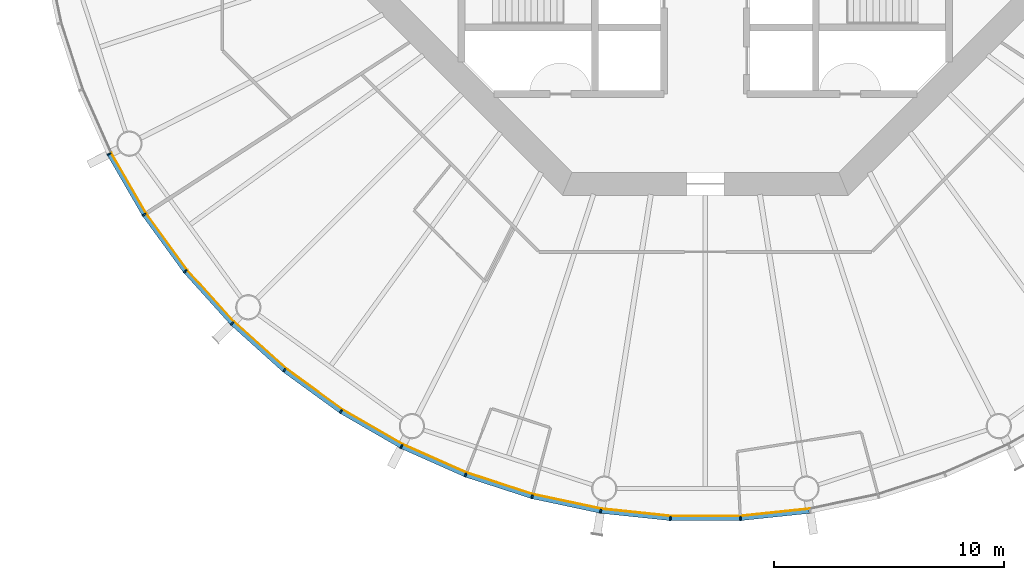
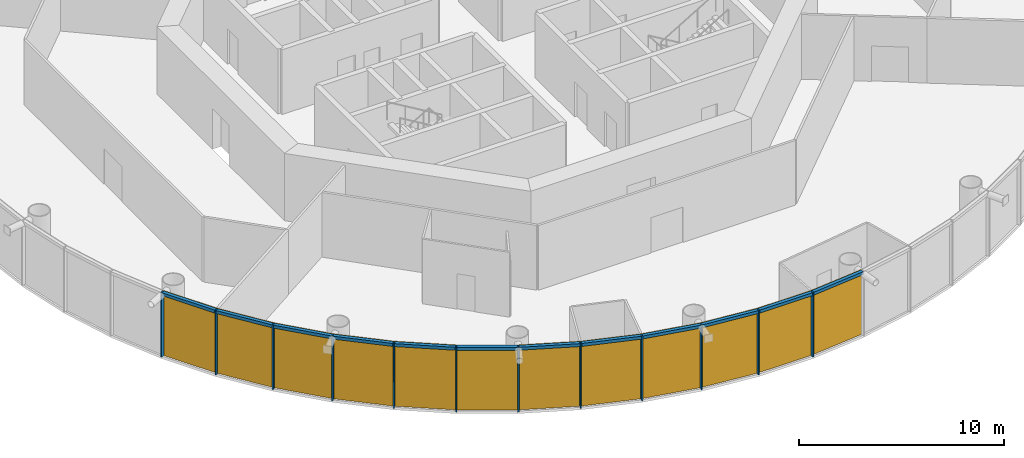
# One storey, part 11 of 17: 24 members, 4 curtain walls.
"""IFC4 building model written with IfcOpenShell, lengths in metres."""

from ifc_helpers import new_model, si_unit, direction, frame, origin, origin_2d, place, context, subcontext, project, spatial, polyline, rectangle, outline, extrude, material, layer, layer_set, material_profile, profile_set, type_object, element, aggregate, save


model = new_model("IFC4")

# Units and contexts
model_context = context("Model", 3, precision=1e-05, world=origin(), true_north=direction((0.0, 1.0)))
body_context = subcontext(model_context, "Body", "Model", "MODEL_VIEW")
ifc_project = project(units=[si_unit("LENGTHUNIT", "METRE"), si_unit("AREAUNIT", "SQUARE_METRE"), si_unit("VOLUMEUNIT", "CUBIC_METRE"), si_unit("PLANEANGLEUNIT", "RADIAN"), si_unit("MASSUNIT", "GRAM", prefix="KILO")], contexts=[model_context])

# Member
ifc_material_1 = material(Name="Anodised aluminium", Category="aluminium")
ifc_material_profile_1 = material_profile(ifc_material_1, rectangle(XDim=0.06494140625, YDim=0.18505859375, at=origin_2d()), Name="Mullion 65 x 185 mm anodised aluminium")
ifc_profile_set_1 = profile_set([ifc_material_profile_1], Name="Anodised aluminium")
member_type_1 = type_object("IfcMemberType", Name="Mullion 65 x 185 mm anodised aluminium", PredefinedType="MULLION", material=ifc_profile_set_1)
site_placement = place(None, origin())
building_placement = place(site_placement, origin())
storey_placement = place(building_placement, frame((0.0, 0.0, 160.0)))
member_1_placement = place(storey_placement, frame((64.078369140625, 66.792236328125, 0.0), z_axis=(0.0, 0.0, 1.0), x_axis=(0.45399049974, -0.891006524188, 0.0)))
member_1 = element("IfcMember", 1, at=member_1_placement, type_object=member_type_1, Name="MULLION L36-33", PredefinedType="MULLION", context=body_context, shape_type="SweptSolid", body=[
    extrude(rectangle(XDim=0.06494140625, YDim=0.18505859375, at=origin_2d()), origin(), (0.0, 0.0, 1.0), 3.85009765625),
])

member_2_placement = place(storey_placement, frame((65.60107421875, 64.155029296875, 0.0), z_axis=(0.0, 0.0, 1.0), x_axis=(0.544639035015, -0.838670567945, 0.0)))
member_2 = element("IfcMember", 2, at=member_2_placement, type_object=member_type_1, Name="MULLION L36-34", PredefinedType="MULLION", context=body_context, shape_type="SweptSolid", body=[
    extrude(rectangle(XDim=0.06494140625, YDim=0.18505859375, at=origin_2d()), origin(), (0.0, 0.0, 1.0), 3.85009765625),
])

member_3_placement = place(storey_placement, frame((67.390869140625, 61.69140625, 0.0), z_axis=(0.0, 0.0, 1.0), x_axis=(0.62932039105, -0.777145961457, 0.0)))
member_3 = element("IfcMember", 3, at=member_3_placement, type_object=member_type_1, Name="MULLION L36-35", PredefinedType="MULLION", context=body_context, shape_type="SweptSolid", body=[
    extrude(rectangle(XDim=0.06494140625, YDim=0.18505859375, at=origin_2d()), origin(), (0.0, 0.0, 1.0), 3.85009765625),
])

member_4_placement = place(storey_placement, frame((69.428466796875, 59.428466796875, 0.0), z_axis=(0.0, 0.0, 1.0), x_axis=(0.707106781187, -0.707106781187, 0.0)))
member_4 = element("IfcMember", 4, at=member_4_placement, type_object=member_type_1, Name="MULLION L36-36", PredefinedType="MULLION", context=body_context, shape_type="SweptSolid", body=[
    extrude(rectangle(XDim=0.06494140625, YDim=0.18505859375, at=origin_2d()), origin(), (0.0, 0.0, 1.0), 3.85009765625),
])

member_5_placement = place(storey_placement, frame((71.69140625, 57.390869140625, 0.0), z_axis=(0.0, 0.0, 1.0), x_axis=(0.777145961457, -0.62932039105, 0.0)))
member_5 = element("IfcMember", 5, at=member_5_placement, type_object=member_type_1, Name="MULLION L36-37", PredefinedType="MULLION", context=body_context, shape_type="SweptSolid", body=[
    extrude(rectangle(XDim=0.06494140625, YDim=0.18505859375, at=origin_2d()), origin(), (0.0, 0.0, 1.0), 3.85009765625),
])

member_6_placement = place(storey_placement, frame((74.155029296875, 55.60107421875, 0.0), z_axis=(0.0, 0.0, 1.0), x_axis=(0.838670567945, -0.544639035015, 0.0)))
member_6 = element("IfcMember", 6, at=member_6_placement, type_object=member_type_1, Name="MULLION L36-38", PredefinedType="MULLION", context=body_context, shape_type="SweptSolid", body=[
    extrude(rectangle(XDim=0.06494140625, YDim=0.18505859375, at=origin_2d()), origin(), (0.0, 0.0, 1.0), 3.85009765625),
])

member_7_placement = place(storey_placement, frame((76.792236328125, 54.078369140625, 0.0), z_axis=(0.0, 0.0, 1.0), x_axis=(0.891006524188, -0.45399049974, 0.0)))
member_7 = element("IfcMember", 7, at=member_7_placement, type_object=member_type_1, Name="MULLION L36-39", PredefinedType="MULLION", context=body_context, shape_type="SweptSolid", body=[
    extrude(rectangle(XDim=0.06494140625, YDim=0.18505859375, at=origin_2d()), origin(), (0.0, 0.0, 1.0), 3.85009765625),
])

member_8_placement = place(storey_placement, frame((79.57421875, 52.83984375, 0.0), z_axis=(0.0, 0.0, 1.0), x_axis=(0.933580426497, -0.358367949545, 0.0)))
member_8 = element("IfcMember", 8, at=member_8_placement, type_object=member_type_1, Name="MULLION L36-40", PredefinedType="MULLION", context=body_context, shape_type="SweptSolid", body=[
    extrude(rectangle(XDim=0.06494140625, YDim=0.18505859375, at=origin_2d()), origin(), (0.0, 0.0, 1.0), 3.85009765625),
])

member_9_placement = place(storey_placement, frame((82.47021484375, 51.898681640625, 0.0), z_axis=(0.0, 0.0, 1.0), x_axis=(0.965925826289, -0.258819045103, 0.0)))
member_9 = element("IfcMember", 9, at=member_9_placement, type_object=member_type_1, Name="MULLION L36-41", PredefinedType="MULLION", context=body_context, shape_type="SweptSolid", body=[
    extrude(rectangle(XDim=0.06494140625, YDim=0.18505859375, at=origin_2d()), origin(), (0.0, 0.0, 1.0), 3.85009765625),
])

member_10_placement = place(storey_placement, frame((85.448974609375, 51.265625, 0.0), z_axis=(0.0, 0.0, 1.0), x_axis=(0.987688340595, -0.15643446504, 0.0)))
member_10 = element("IfcMember", 10, at=member_10_placement, type_object=member_type_1, Name="MULLION L36-42", PredefinedType="MULLION", context=body_context, shape_type="SweptSolid", body=[
    extrude(rectangle(XDim=0.06494140625, YDim=0.18505859375, at=origin_2d()), origin(), (0.0, 0.0, 1.0), 3.85009765625),
])

member_11_placement = place(storey_placement, frame((88.477294921875, 50.947265625, 0.0), z_axis=(0.0, 0.0, 1.0), x_axis=(0.998629534755, -0.052335956243, 0.0)))
member_11 = element("IfcMember", 11, at=member_11_placement, type_object=member_type_1, Name="MULLION L36-43", PredefinedType="MULLION", context=body_context, shape_type="SweptSolid", body=[
    extrude(rectangle(XDim=0.06494140625, YDim=0.18505859375, at=origin_2d()), origin(), (0.0, 0.0, 1.0), 3.85009765625),
])

member_12_placement = place(storey_placement, frame((91.522705078125, 50.947265625, 0.0), z_axis=(0.0, 0.0, 1.0), x_axis=(0.998629534755, 0.052335956243, 0.0)))
member_12 = element("IfcMember", 12, at=member_12_placement, type_object=member_type_1, Name="MULLION L36-44", PredefinedType="MULLION", context=body_context, shape_type="SweptSolid", body=[
    extrude(rectangle(XDim=0.06494140625, YDim=0.18505859375, at=origin_2d()), origin(), (0.0, 0.0, 1.0), 3.85009765625),
])

ifc_material_2 = material(Name="Anodised aluminium", Category="aluminium")
ifc_material_profile_2 = material_profile(ifc_material_2, rectangle(XDim=0.18505859375, YDim=0.175048828125, at=origin_2d()), Name="Transom 175 x 185 mm anodised aluminium")
ifc_profile_set_2 = profile_set([ifc_material_profile_2], Name="Anodised aluminium")
member_type_2 = type_object("IfcMemberType", Name="Transom 175 x 185 mm anodised aluminium", PredefinedType="USERDEFINED", material=ifc_profile_set_2)
member_13_placement = place(storey_placement, frame((64.096923828125, 66.759765625, 3.762451171875), z_axis=(0.500028367561, -0.866009025146, 0.0), x_axis=(0.866009025146, 0.500028367561, 0.0)))
member_13 = element("IfcMember", 13, at=member_13_placement, type_object=member_type_2, Name="TRANSOM L36-33", ObjectType="TRANSOM", PredefinedType="USERDEFINED", context=body_context, shape_type="SweptSolid", body=[
    extrude(rectangle(XDim=0.18505859375, YDim=0.175048828125, at=origin_2d()), origin(), (0.0, 0.0, 1.0), 2.970458984375),
])

member_14_placement = place(storey_placement, frame((65.622802734375, 64.124755859375, 3.762451171875), z_axis=(0.587819781808, -0.808991906087, 0.0), x_axis=(0.808991906087, 0.587819781808, 0.0)))
member_14 = element("IfcMember", 14, at=member_14_placement, type_object=member_type_2, Name="TRANSOM L36-34", ObjectType="TRANSOM", PredefinedType="USERDEFINED", context=body_context, shape_type="SweptSolid", body=[
    extrude(rectangle(XDim=0.18505859375, YDim=0.175048828125, at=origin_2d()), origin(), (0.0, 0.0, 1.0), 2.970458984375),
])

member_15_placement = place(storey_placement, frame((67.415771484375, 61.66357421875, 3.762451171875), z_axis=(0.669110027395, -0.743163354343, 0.0), x_axis=(0.743163354343, 0.669110027395, 0.0)))
member_15 = element("IfcMember", 15, at=member_15_placement, type_object=member_type_2, Name="TRANSOM L36-35", ObjectType="TRANSOM", PredefinedType="USERDEFINED", context=body_context, shape_type="SweptSolid", body=[
    extrude(rectangle(XDim=0.18505859375, YDim=0.175048828125, at=origin_2d()), origin(), (0.0, 0.0, 1.0), 2.970458984375),
])

member_16_placement = place(storey_placement, frame((69.4560546875, 59.4033203125, 3.762451171875), z_axis=(0.743163354343, -0.669110027395, 0.0), x_axis=(0.669110027395, 0.743163354343, 0.0)))
member_16 = element("IfcMember", 16, at=member_16_placement, type_object=member_type_2, Name="TRANSOM L36-36", ObjectType="TRANSOM", PredefinedType="USERDEFINED", context=body_context, shape_type="SweptSolid", body=[
    extrude(rectangle(XDim=0.18505859375, YDim=0.175048828125, at=origin_2d()), origin(), (0.0, 0.0, 1.0), 2.970458984375),
])

member_17_placement = place(storey_placement, frame((71.7216796875, 57.368896484375, 3.762451171875), z_axis=(0.808991906087, -0.587819781808, 0.0), x_axis=(0.587819781808, 0.808991906087, 0.0)))
member_17 = element("IfcMember", 17, at=member_17_placement, type_object=member_type_2, Name="TRANSOM L36-37", ObjectType="TRANSOM", PredefinedType="USERDEFINED", context=body_context, shape_type="SweptSolid", body=[
    extrude(rectangle(XDim=0.18505859375, YDim=0.175048828125, at=origin_2d()), origin(), (0.0, 0.0, 1.0), 2.970458984375),
])

member_18_placement = place(storey_placement, frame((74.187255859375, 55.582275390625, 3.762451171875), z_axis=(0.866009025146, -0.500028367561, 0.0), x_axis=(0.500028367561, 0.866009025146, 0.0)))
member_18 = element("IfcMember", 18, at=member_18_placement, type_object=member_type_2, Name="TRANSOM L36-38", ObjectType="TRANSOM", PredefinedType="USERDEFINED", context=body_context, shape_type="SweptSolid", body=[
    extrude(rectangle(XDim=0.18505859375, YDim=0.175048828125, at=origin_2d()), origin(), (0.0, 0.0, 1.0), 2.970458984375),
])

member_19_placement = place(storey_placement, frame((76.826416015625, 54.06298828125, 3.762451171875), z_axis=(0.913567348806, -0.406687471156, 0.0), x_axis=(0.406687471156, 0.913567348806, 0.0)))
member_19 = element("IfcMember", 19, at=member_19_placement, type_object=member_type_2, Name="TRANSOM L36-39", ObjectType="TRANSOM", PredefinedType="USERDEFINED", context=body_context, shape_type="SweptSolid", body=[
    extrude(rectangle(XDim=0.18505859375, YDim=0.175048828125, at=origin_2d()), origin(), (0.0, 0.0, 1.0), 2.970458984375),
])

member_20_placement = place(storey_placement, frame((79.609619140625, 52.828125, 3.762451171875), z_axis=(0.951055809184, -0.30901917063, 0.0), x_axis=(0.30901917063, 0.951055809184, 0.0)))
member_20 = element("IfcMember", 20, at=member_20_placement, type_object=member_type_2, Name="TRANSOM L36-40", ObjectType="TRANSOM", PredefinedType="USERDEFINED", context=body_context, shape_type="SweptSolid", body=[
    extrude(rectangle(XDim=0.18505859375, YDim=0.175048828125, at=origin_2d()), origin(), (0.0, 0.0, 1.0), 2.970703125),
])

member_21_placement = place(storey_placement, frame((82.5068359375, 51.890869140625, 3.762451171875), z_axis=(0.97815822425, -0.207861704825, 0.0), x_axis=(0.207861704825, 0.97815822425, 0.0)))
member_21 = element("IfcMember", 21, at=member_21_placement, type_object=member_type_2, Name="TRANSOM L36-41", ObjectType="TRANSOM", PredefinedType="USERDEFINED", context=body_context, shape_type="SweptSolid", body=[
    extrude(rectangle(XDim=0.18505859375, YDim=0.175048828125, at=origin_2d()), origin(), (0.0, 0.0, 1.0), 2.970458984375),
])

member_22_placement = place(storey_placement, frame((85.486083984375, 51.26171875, 3.762451171875), z_axis=(0.994519855197, -0.104547872381, 0.0), x_axis=(0.104547872381, 0.994519855197, 0.0)))
member_22 = element("IfcMember", 22, at=member_22_placement, type_object=member_type_2, Name="TRANSOM L36-42", ObjectType="TRANSOM", PredefinedType="USERDEFINED", context=body_context, shape_type="SweptSolid", body=[
    extrude(rectangle(XDim=0.18505859375, YDim=0.175048828125, at=origin_2d()), origin(), (0.0, 0.0, 1.0), 2.970458984375),
])

member_23_placement = place(storey_placement, frame((88.5146484375, 50.947265625, 3.762451171875), z_axis=(1.0, 0.0, 0.0), x_axis=(0.0, 1.0, 0.0)))
member_23 = element("IfcMember", 23, at=member_23_placement, type_object=member_type_2, Name="TRANSOM L36-43", ObjectType="TRANSOM", PredefinedType="USERDEFINED", context=body_context, shape_type="SweptSolid", body=[
    extrude(rectangle(XDim=0.18505859375, YDim=0.175048828125, at=origin_2d()), origin(), (0.0, 0.0, 1.0), 2.970703125),
])

member_24_placement = place(storey_placement, frame((91.559814453125, 50.951171875, 3.762451171875), z_axis=(0.994519855197, 0.104547872381, 0.0), x_axis=(-0.104547872381, 0.994519855197, 0.0)))
member_24 = element("IfcMember", 24, at=member_24_placement, type_object=member_type_2, Name="TRANSOM L36-44", ObjectType="TRANSOM", PredefinedType="USERDEFINED", context=body_context, shape_type="SweptSolid", body=[
    extrude(rectangle(XDim=0.18505859375, YDim=0.175048828125, at=origin_2d()), origin(), (0.0, 0.0, 1.0), 2.970458984375),
])

# Site, building, storey
site = spatial("IfcSite", under=ifc_project, at=site_placement, CompositionType="ELEMENT")
building = spatial("IfcBuilding", under=site, at=building_placement, Name="Entoto Ring Tower", CompositionType="ELEMENT")
storey = spatial("IfcBuildingStorey", under=building, at=storey_placement, Name="L36", CompositionType="ELEMENT", Elevation=160.0)

# Curtain wall
ifc_material_3 = material(Name="Clear low-iron glass", Category="glass")
ifc_layer = layer(ifc_material_3, 0.033935546875)
ifc_layer_set = layer_set([ifc_layer], Name="Clear low-iron glass")
curtain_wall_type = type_object("IfcCurtainWallType", Name="Curtain wall system CW3 glazing 34 mm", PredefinedType="NOTDEFINED", material=ifc_layer_set)
curtain_wall_1_placement = place(storey_placement, origin())
curtain_wall_1 = element("IfcCurtainWall", 25, at=curtain_wall_1_placement, inside=storey, type_object=curtain_wall_type, Name="CW3 L36-12", PredefinedType="NOTDEFINED", context=body_context, shape_type="SweptSolid", body=[
    extrude(outline(polyline([(64.160888671875, 66.834228515625), (65.678466796875, 64.20556640625), (67.462646484375, 61.749755859375), (69.493896484375, 59.493896484375), (69.51806640625, 59.51806640625), (67.4892578125, 61.771240234375), (65.70703125, 64.22412109375), (64.191162109375, 66.849853515625), (64.160888671875, 66.834228515625)])), origin(), (0.0, 0.0, 1.0), 3.85009765625),
])

aggregate(curtain_wall_1, [member_1, member_2, member_3, member_13, member_14, member_15])

curtain_wall_2_placement = place(storey_placement, origin())
curtain_wall_2 = element("IfcCurtainWall", 26, at=curtain_wall_2_placement, inside=storey, type_object=curtain_wall_type, Name="CW3 L36-13", PredefinedType="NOTDEFINED", context=body_context, shape_type="SweptSolid", body=[
    extrude(outline(polyline([(69.493896484375, 59.493896484375), (71.749755859375, 57.462646484375), (74.20556640625, 55.678466796875), (76.834228515625, 54.160888671875), (76.849853515625, 54.191162109375), (74.22412109375, 55.70703125), (71.771240234375, 57.4892578125), (69.51806640625, 59.51806640625), (69.493896484375, 59.493896484375)])), origin(), (0.0, 0.0, 1.0), 3.85009765625),
])

aggregate(curtain_wall_2, [member_4, member_5, member_6, member_16, member_17, member_18])

curtain_wall_3_placement = place(storey_placement, origin())
curtain_wall_3 = element("IfcCurtainWall", 27, at=curtain_wall_3_placement, inside=storey, type_object=curtain_wall_type, Name="CW3 L36-14", PredefinedType="NOTDEFINED", context=body_context, shape_type="SweptSolid", body=[
    extrude(outline(polyline([(76.834228515625, 54.160888671875), (79.607421875, 52.92626953125), (82.494140625, 51.988037109375), (85.46337890625, 51.35693359375), (85.46875, 51.390625), (82.503173828125, 52.02099609375), (79.61962890625, 52.9580078125), (76.849853515625, 54.191162109375), (76.834228515625, 54.160888671875)])), origin(), (0.0, 0.0, 1.0), 3.85009765625),
])

aggregate(curtain_wall_3, [member_7, member_8, member_9, member_19, member_20, member_21])

curtain_wall_4_placement = place(storey_placement, origin())
curtain_wall_4 = element("IfcCurtainWall", 28, at=curtain_wall_4_placement, inside=storey, type_object=curtain_wall_type, Name="CW3 L36-15", PredefinedType="NOTDEFINED", context=body_context, shape_type="SweptSolid", body=[
    extrude(outline(polyline([(85.46337890625, 51.35693359375), (88.482177734375, 51.039794921875), (91.517822265625, 51.039794921875), (94.53662109375, 51.35693359375), (94.53125, 51.390625), (91.515869140625, 51.07373046875), (88.484130859375, 51.07373046875), (85.46875, 51.390625), (85.46337890625, 51.35693359375)])), origin(), (0.0, 0.0, 1.0), 3.85009765625),
])

aggregate(curtain_wall_4, [member_10, member_11, member_12, member_22, member_23, member_24])

save(model, "model.ifc")
